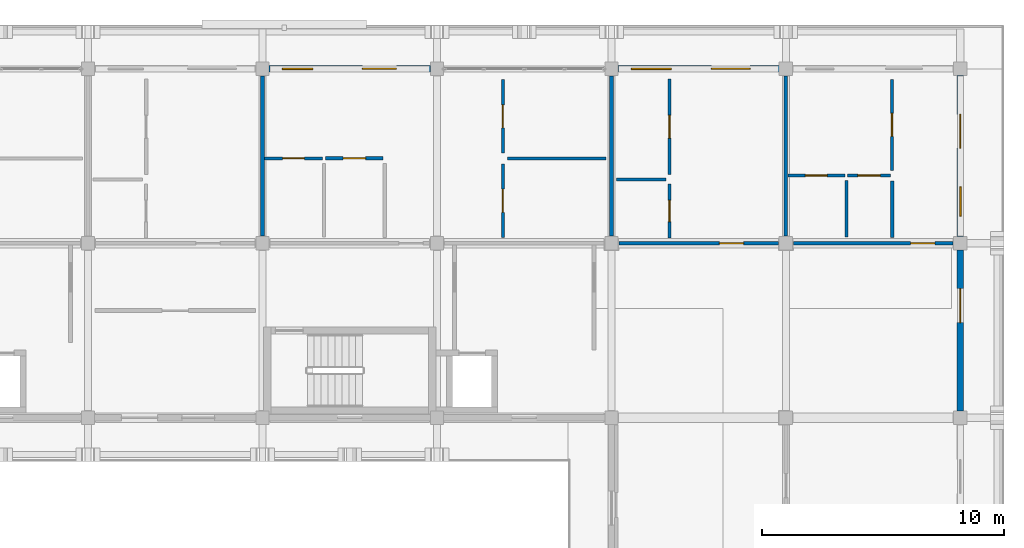
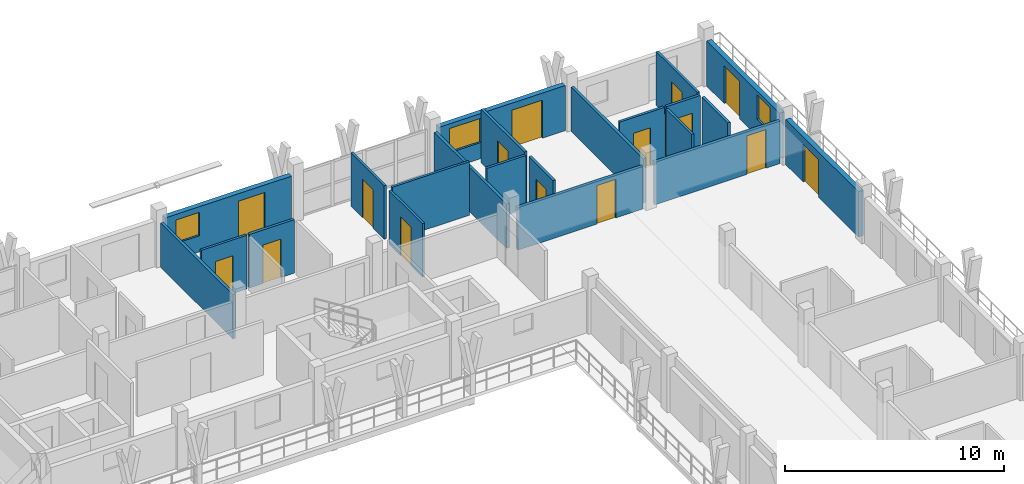
# One storey, part 52 of 73: 22 walls, 15 doors, 3 windows, 18 openings.
"""IFC4 building model written with IfcOpenShell, lengths in metres."""

from ifc_helpers import new_model, si_unit, direction, frame, frame_2d, origin, place, context, subcontext, project, spatial, rectangle, extrude, material, layer, layer_set, type_object, element, fill, save


model = new_model("IFC4")

# Units and contexts
model_context = context("Model", 3, precision=1e-05, world=origin(), true_north=direction((0.0, 1.0)))
body_context = subcontext(model_context, "Body", "Model", "MODEL_VIEW")
ifc_project = project(units=[si_unit("LENGTHUNIT", "METRE"), si_unit("AREAUNIT", "SQUARE_METRE"), si_unit("VOLUMEUNIT", "CUBIC_METRE"), si_unit("PLANEANGLEUNIT", "RADIAN"), si_unit("MASSUNIT", "GRAM", prefix="KILO")], contexts=[model_context])

# Site, building, storey
site_placement = place(None, origin())
site = spatial("IfcSite", under=ifc_project, at=site_placement, CompositionType="ELEMENT")
building_placement = place(site_placement, origin())
building = spatial("IfcBuilding", under=site, at=building_placement, Name="Suanplinth Sawtooth Commons", CompositionType="ELEMENT")
storey_placement = place(building_placement, frame((0.0, 0.0, 21.89990234375)))
storey = spatial("IfcBuildingStorey", under=building, at=storey_placement, Name="L06", CompositionType="ELEMENT", Elevation=21.89990234375)

# Wall, openings, door, window
ifc_material_1 = material(Name="Precast concrete C40/50", Category="concrete")
ifc_layer_1 = layer(ifc_material_1, 0.260009765625, Name="Insulated precast courtyard facade wall 260mm")
ifc_layer_set_1 = layer_set([ifc_layer_1], Name="Precast concrete C40/50")
wall_type_1 = type_object("IfcWallType", Name="W-EX02", PredefinedType="ELEMENTEDWALL", material=ifc_layer_set_1)
wall_1_placement = place(storey_placement, frame((158.675048828125, 122.39990234375, 0.0), z_axis=(0.0, 0.0, 1.0), x_axis=(1.0, 0.0, 0.0)))
wall_1 = element("IfcWall", 1, at=wall_1_placement, inside=storey, type_object=wall_type_1, Name="Facade Wall W-L06-B-N-22-16", PredefinedType="ELEMENTEDWALL", context=body_context, shape_type="SweptSolid", body=[
    extrude(rectangle(XDim=6.64990234375, YDim=0.260009765625, at=frame_2d((3.324951171875, 0.0))), origin(), (0.0, 0.0, 1.0), 2.51513671875),
])
opening_1_placement = place(wall_1_placement, frame((3.85009765625, 0.0, 0.0)))
opening_1 = element("IfcOpeningElement", 2, at=opening_1_placement, cuts=wall_1, Name="Opening ED0505", PredefinedType="OPENING", context=body_context, shape_type="SweptSolid", body=[
    extrude(rectangle(XDim=1.39990234375, YDim=2.10009765625, at=frame_2d((0.699951171875, 1.050048828125))), frame((0.0, 0.14501953125, 0.0), z_axis=(0.0, -1.0, 0.0), x_axis=(1.0, 0.0, 0.0)), (0.0, 0.0, 1.0), 0.289794921875),
])
opening_2_placement = place(wall_1_placement, frame((0.550048828125, 0.0, 0.89990234375)))
opening_2 = element("IfcOpeningElement", 3, at=opening_2_placement, cuts=wall_1, Name="Opening W0593", PredefinedType="OPENING", context=body_context, shape_type="SweptSolid", body=[
    extrude(rectangle(XDim=1.25, YDim=1.300048828125, at=frame_2d((0.625, 0.64990234375))), frame((0.0, 0.14501953125, 0.0), z_axis=(0.0, -1.0, 0.0), x_axis=(1.0, 0.0, 0.0)), (0.0, 0.0, 1.0), 0.289794921875),
])
ifc_material_2 = material(Name="Anodized aluminium and low-E glass", Category="aluminium")
door_type_1 = type_object("IfcDoorType", Name="SD-07", OperationType="SLIDING_TO_RIGHT", PredefinedType="DOOR", material=ifc_material_2)
door_1_placement = place(opening_1_placement, frame((1.39990234375, 0.0, 0.0), z_axis=(0.0, 0.0, 1.0), x_axis=(-1.0, 0.0, 0.0)))
door_1 = element("IfcDoor", 4, at=door_1_placement, inside=storey, type_object=door_type_1, Name="Balcony Sliding Door L06-B-22", OperationType="SLIDING_TO_RIGHT", OverallHeight=2.10009765625, OverallWidth=1.39990234375, PredefinedType="DOOR", context=body_context, shape_type="SweptSolid", body=[
    extrude(rectangle(XDim=1.39990234375, YDim=2.10009765625, at=frame_2d((0.699951171875, 1.050048828125))), frame((0.0, 0.02490234375, 0.0), z_axis=(0.0, -1.0, 0.0), x_axis=(1.0, 0.0, 0.0)), (0.0, 0.0, 1.0), 0.050048828125),
])
fill(opening_1, door_1)
ifc_material_3 = material(Name="Thermally broken aluminium and low-E double glazing", Category="aluminium")
window_type_1 = type_object("IfcWindowType", Name="WN-17", PartitioningType="SINGLE_PANEL", PredefinedType="WINDOW", material=ifc_material_3)
window_1_placement = place(opening_2_placement, origin())
window_1 = element("IfcWindow", 5, at=window_1_placement, inside=storey, type_object=window_type_1, Name="Apartment Window L06-B-22", OverallHeight=1.300048828125, OverallWidth=1.25, PartitioningType="SINGLE_PANEL", PredefinedType="WINDOW", context=body_context, shape_type="SweptSolid", body=[
    extrude(rectangle(XDim=1.25, YDim=1.300048828125, at=frame_2d((0.625, 0.64990234375))), frame((0.0, 0.030029296875, 0.0), z_axis=(0.0, -1.0, 0.0), x_axis=(1.0, 0.0, 0.0)), (0.0, 0.0, 1.0), 0.06005859375),
])
fill(opening_2, window_1)

wall_2_placement = place(storey_placement, frame((173.074951171875, 122.39990234375, 0.0), z_axis=(0.0, 0.0, 1.0), x_axis=(1.0, 0.0, 0.0)))
wall_2 = element("IfcWall", 6, at=wall_2_placement, inside=storey, type_object=wall_type_1, Name="Facade Wall W-L06-B-N-24-16", PredefinedType="ELEMENTEDWALL", context=body_context, shape_type="SweptSolid", body=[
    extrude(rectangle(XDim=6.650146484375, YDim=0.260009765625, at=frame_2d((3.3251953125, 0.0))), origin(), (0.0, 0.0, 1.0), 2.51513671875),
])
opening_3_placement = place(wall_2_placement, frame((3.85009765625, 0.0, 0.0)))
opening_3 = element("IfcOpeningElement", 7, at=opening_3_placement, cuts=wall_2, Name="Opening ED0509", PredefinedType="OPENING", context=body_context, shape_type="SweptSolid", body=[
    extrude(rectangle(XDim=1.60009765625, YDim=2.1201171875, at=frame_2d((0.800048828125, 1.06005859375))), frame((0.0, 0.14501953125, 0.0), z_axis=(0.0, -1.0, 0.0), x_axis=(1.0, 0.0, 0.0)), (0.0, 0.0, 1.0), 0.289794921875),
])
opening_4_placement = place(wall_2_placement, frame((0.550048828125, 0.0, 0.89990234375)))
opening_4 = element("IfcOpeningElement", 8, at=opening_4_placement, cuts=wall_2, Name="Opening W0596", PredefinedType="OPENING", context=body_context, shape_type="SweptSolid", body=[
    extrude(rectangle(XDim=1.64990234375, YDim=1.35009765625, at=frame_2d((0.824951171875, 0.675048828125))), frame((0.0, 0.14501953125, 0.0), z_axis=(0.0, -1.0, 0.0), x_axis=(1.0, 0.0, 0.0)), (0.0, 0.0, 1.0), 0.289794921875),
])
door_type_2 = type_object("IfcDoorType", Name="SD-02", OperationType="SLIDING_TO_RIGHT", PredefinedType="DOOR", material=ifc_material_2)
door_2_placement = place(opening_3_placement, frame((1.60009765625, 0.0, 0.0), z_axis=(0.0, 0.0, 1.0), x_axis=(-1.0, 0.0, 0.0)))
door_2 = element("IfcDoor", 9, at=door_2_placement, inside=storey, type_object=door_type_2, Name="Balcony Sliding Door L06-B-24", OperationType="SLIDING_TO_RIGHT", OverallHeight=2.1201171875, OverallWidth=1.60009765625, PredefinedType="DOOR", context=body_context, shape_type="SweptSolid", body=[
    extrude(rectangle(XDim=1.60009765625, YDim=2.1201171875, at=frame_2d((0.800048828125, 1.06005859375))), frame((0.0, 0.02490234375, 0.0), z_axis=(0.0, -1.0, 0.0), x_axis=(1.0, 0.0, 0.0)), (0.0, 0.0, 1.0), 0.050048828125),
])
fill(opening_3, door_2)
window_type_2 = type_object("IfcWindowType", Name="WN-19", PartitioningType="DOUBLE_PANEL_VERTICAL", PredefinedType="WINDOW", material=ifc_material_3)
window_2_placement = place(opening_4_placement, origin())
window_2 = element("IfcWindow", 10, at=window_2_placement, inside=storey, type_object=window_type_2, Name="Apartment Window L06-B-24", OverallHeight=1.35009765625, OverallWidth=1.64990234375, PartitioningType="DOUBLE_PANEL_VERTICAL", PredefinedType="WINDOW", context=body_context, shape_type="SweptSolid", body=[
    extrude(rectangle(XDim=1.64990234375, YDim=1.35009765625, at=frame_2d((0.824951171875, 0.675048828125))), frame((0.0, 0.030029296875, 0.0), z_axis=(0.0, -1.0, 0.0), x_axis=(1.0, 0.0, 0.0)), (0.0, 0.0, 1.0), 0.06005859375),
])
fill(opening_4, window_2)

# Wall, opening, door
wall_3_placement = place(storey_placement, frame((187.199951171875, 108.27490234375, 0.0), z_axis=(0.0, 0.0, 1.0), x_axis=(0.0, 1.0, 0.0)))
wall_3 = element("IfcWall", 11, at=wall_3_placement, inside=storey, type_object=wall_type_1, Name="Facade Wall W-L06-B-E-25-15", PredefinedType="ELEMENTEDWALL", context=body_context, shape_type="SweptSolid", body=[
    extrude(rectangle(XDim=6.650146484375, YDim=0.260009765625, at=frame_2d((3.3251953125, 0.0))), origin(), (0.0, 0.0, 1.0), 2.51513671875),
])
opening_5_placement = place(wall_3_placement, frame((3.64990234375, 0.0, 0.0)))
opening_5 = element("IfcOpeningElement", 12, at=opening_5_placement, cuts=wall_3, Name="Opening ED0514", PredefinedType="OPENING", context=body_context, shape_type="SweptSolid", body=[
    extrude(rectangle(XDim=1.39990234375, YDim=2.10009765625, at=frame_2d((0.699951171875, 1.050048828125))), frame((0.0, 0.14501953125, 0.0), z_axis=(0.0, -1.0, 0.0), x_axis=(1.0, 0.0, 0.0)), (0.0, 0.0, 1.0), 0.289794921875),
])
door_3_placement = place(opening_5_placement, frame((1.39990234375, 0.0, 0.0), z_axis=(0.0, 0.0, 1.0), x_axis=(-1.0, 0.0, 0.0)))
door_3 = element("IfcDoor", 13, at=door_3_placement, inside=storey, type_object=door_type_1, Name="End Balcony Sliding Door L06-B-E-25-15", OperationType="SLIDING_TO_RIGHT", OverallHeight=2.10009765625, OverallWidth=1.39990234375, PredefinedType="DOOR", context=body_context, shape_type="SweptSolid", body=[
    extrude(rectangle(XDim=1.39990234375, YDim=2.10009765625, at=frame_2d((0.699951171875, 1.050048828125))), frame((0.0, 0.02490234375, 0.0), z_axis=(0.0, -1.0, 0.0), x_axis=(1.0, 0.0, 0.0)), (0.0, 0.0, 1.0), 0.050048828125),
])
fill(opening_5, door_3)

# Wall, openings, door, window
wall_4_placement = place(storey_placement, frame((187.199951171875, 115.47509765625, 0.0), z_axis=(0.0, 0.0, 1.0), x_axis=(0.0, 1.0, 0.0)))
wall_4 = element("IfcWall", 14, at=wall_4_placement, inside=storey, type_object=wall_type_1, Name="Facade Wall W-L06-B-E-25-16", PredefinedType="ELEMENTEDWALL", context=body_context, shape_type="SweptSolid", body=[
    extrude(rectangle(XDim=6.64990234375, YDim=0.260009765625, at=frame_2d((3.324951171875, 0.0))), origin(), (0.0, 0.0, 1.0), 2.51513671875),
])
opening_6_placement = place(wall_4_placement, frame((3.64990234375, 0.0, 0.0)))
opening_6 = element("IfcOpeningElement", 15, at=opening_6_placement, cuts=wall_4, Name="Opening ED0516", PredefinedType="OPENING", context=body_context, shape_type="SweptSolid", body=[
    extrude(rectangle(XDim=1.39990234375, YDim=2.10009765625, at=frame_2d((0.699951171875, 1.050048828125))), frame((0.0, 0.14501953125, 0.0), z_axis=(0.0, -1.0, 0.0), x_axis=(1.0, 0.0, 0.0)), (0.0, 0.0, 1.0), 0.289794921875),
])
opening_7_placement = place(wall_4_placement, frame((0.85009765625, 0.0, 0.949951171875)))
opening_7 = element("IfcOpeningElement", 16, at=opening_7_placement, cuts=wall_4, Name="Opening W0601", PredefinedType="OPENING", context=body_context, shape_type="SweptSolid", body=[
    extrude(rectangle(XDim=1.199951171875, YDim=1.35009765625, at=frame_2d((0.60009765625, 0.675048828125))), frame((0.0, 0.14501953125, 0.0), z_axis=(0.0, -1.0, 0.0), x_axis=(1.0, 0.0, 0.0)), (0.0, 0.0, 1.0), 0.289794921875),
])
door_4_placement = place(opening_6_placement, frame((1.39990234375, 0.0, 0.0), z_axis=(0.0, 0.0, 1.0), x_axis=(-1.0, 0.0, 0.0)))
door_4 = element("IfcDoor", 17, at=door_4_placement, inside=storey, type_object=door_type_1, Name="End Balcony Sliding Door L06-B-E-25-16", OperationType="SLIDING_TO_RIGHT", OverallHeight=2.10009765625, OverallWidth=1.39990234375, PredefinedType="DOOR", context=body_context, shape_type="SweptSolid", body=[
    extrude(rectangle(XDim=1.39990234375, YDim=2.10009765625, at=frame_2d((0.699951171875, 1.050048828125))), frame((0.0, 0.02490234375, 0.0), z_axis=(0.0, -1.0, 0.0), x_axis=(1.0, 0.0, 0.0)), (0.0, 0.0, 1.0), 0.050048828125),
])
fill(opening_6, door_4)
window_type_3 = type_object("IfcWindowType", Name="WN-03", PartitioningType="SINGLE_PANEL", PredefinedType="WINDOW", material=ifc_material_3)
window_3_placement = place(opening_7_placement, origin())
window_3 = element("IfcWindow", 18, at=window_3_placement, inside=storey, type_object=window_type_3, Name="End Bedroom Window L06-B-25-16", OverallHeight=1.35009765625, OverallWidth=1.199951171875, PartitioningType="SINGLE_PANEL", PredefinedType="WINDOW", context=body_context, shape_type="SweptSolid", body=[
    extrude(rectangle(XDim=1.199951171875, YDim=1.35009765625, at=frame_2d((0.60009765625, 0.675048828125))), frame((0.0, 0.030029296875, 0.0), z_axis=(0.0, -1.0, 0.0), x_axis=(1.0, 0.0, 0.0)), (0.0, 0.0, 1.0), 0.06005859375),
])
fill(opening_7, window_3)

# Wall, opening, door
ifc_layer_2 = layer(ifc_material_1, 0.159912109375, Name="Fire-rated corridor and lobby wall 160mm")
ifc_layer_set_2 = layer_set([ifc_layer_2], Name="Precast concrete C40/50")
wall_type_2 = type_object("IfcWallType", Name="W-FW01", PredefinedType="PARTITIONING", material=ifc_layer_set_2)
wall_5_placement = place(storey_placement, frame((173.10498046875, 115.199951171875, 0.0), z_axis=(0.0, 0.0, 1.0), x_axis=(1.0, 0.0, 0.0)))
wall_5 = element("IfcWall", 19, at=wall_5_placement, inside=storey, type_object=wall_type_2, Name="W-B-L06-U05-COR", PredefinedType="PARTITIONING", context=body_context, shape_type="SweptSolid", body=[
    extrude(rectangle(XDim=6.590087890625, YDim=0.159912109375, at=frame_2d((3.294921875, 0.0))), origin(), (0.0, 0.0, 1.0), 2.364990234375),
])
opening_8_placement = place(wall_5_placement, frame((4.14501953125, 0.0, 0.0)))
opening_8 = element("IfcOpeningElement", 20, at=opening_8_placement, cuts=wall_5, Name="Opening FD1420", PredefinedType="OPENING", context=body_context, shape_type="SweptSolid", body=[
    extrude(rectangle(XDim=1.0, YDim=2.14990234375, at=frame_2d((0.5, 1.074951171875))), frame((0.0, 0.0947265625, 0.0), z_axis=(0.0, -1.0, 0.0), x_axis=(1.0, 0.0, 0.0)), (0.0, 0.0, 1.0), 0.189697265625),
])
ifc_material_4 = material(Name="Teak hardwood fire-rated door assembly", Category="wood")
door_type_3 = type_object("IfcDoorType", Name="FD-03", OperationType="NOTDEFINED", PredefinedType="DOOR", material=ifc_material_4)
door_5_placement = place(opening_8_placement, origin())
door_5 = element("IfcDoor", 21, at=door_5_placement, inside=storey, type_object=door_type_3, Name="Unit Entrance Door FD1420", OperationType="SINGLE_SWING_RIGHT", OverallHeight=2.14990234375, OverallWidth=1.0, PredefinedType="DOOR", context=body_context, shape_type="SweptSolid", body=[
    extrude(rectangle(XDim=1.0, YDim=2.14990234375, at=frame_2d((0.5, 1.074951171875))), frame((0.0, 0.02490234375, 0.0), z_axis=(0.0, -1.0, 0.0), x_axis=(1.0, 0.0, 0.0)), (0.0, 0.0, 1.0), 0.050048828125),
])
fill(opening_8, door_5)

wall_6_placement = place(storey_placement, frame((180.304931640625, 115.199951171875, 0.0), z_axis=(0.0, 0.0, 1.0), x_axis=(1.0, 0.0, 0.0)))
wall_6 = element("IfcWall", 22, at=wall_6_placement, inside=storey, type_object=wall_type_2, Name="W-B-L06-U06-COR", PredefinedType="PARTITIONING", context=body_context, shape_type="SweptSolid", body=[
    extrude(rectangle(XDim=6.590087890625, YDim=0.159912109375, at=frame_2d((3.294921875, 0.0))), origin(), (0.0, 0.0, 1.0), 2.364990234375),
])
opening_9_placement = place(wall_6_placement, frame((4.844970703125, 0.0, 0.0)))
opening_9 = element("IfcOpeningElement", 23, at=opening_9_placement, cuts=wall_6, Name="Opening FD1423", PredefinedType="OPENING", context=body_context, shape_type="SweptSolid", body=[
    extrude(rectangle(XDim=1.0, YDim=2.14990234375, at=frame_2d((0.5, 1.074951171875))), frame((0.0, 0.0947265625, 0.0), z_axis=(0.0, -1.0, 0.0), x_axis=(1.0, 0.0, 0.0)), (0.0, 0.0, 1.0), 0.189697265625),
])
door_6_placement = place(opening_9_placement, origin())
door_6 = element("IfcDoor", 24, at=door_6_placement, inside=storey, type_object=door_type_3, Name="Unit Entrance Door FD1423", OperationType="SINGLE_SWING_LEFT", OverallHeight=2.14990234375, OverallWidth=1.0, PredefinedType="DOOR", context=body_context, shape_type="SweptSolid", body=[
    extrude(rectangle(XDim=1.0, YDim=2.14990234375, at=frame_2d((0.5, 1.074951171875))), frame((0.0, 0.02490234375, 0.0), z_axis=(0.0, -1.0, 0.0), x_axis=(1.0, 0.0, 0.0)), (0.0, 0.0, 1.0), 0.050048828125),
])
fill(opening_9, door_6)

# Walls
ifc_layer_3 = layer(ifc_material_1, 0.14990234375, Name="Acoustic precast party demising wall 150mm")
ifc_layer_set_3 = layer_set([ifc_layer_3], Name="Precast concrete C40/50")
wall_type_3 = type_object("IfcWallType", Name="W-FW02", PredefinedType="PARTITIONING", material=ifc_layer_set_3)
for number, where, z_axis, x_axis, name in (
    (25, (158.39990234375, 115.5048828125, 0.0), (0.0, 0.0, 1.0), (0.0, 1.0, 0.0), "W-B-L06-U03-PTY"),
    (26, (172.800048828125, 115.5048828125, 0.0), (0.0, 0.0, 1.0), (0.0, 1.0, 0.0), "W-B-L06-U04-PTY"),
    (27, (180.0, 115.5048828125, 0.0), (0.0, 0.0, 1.0), (0.0, 1.0, 0.0), "W-B-L06-U05-PTY"),
):
    element("IfcWall", number, at=place(storey_placement, frame(where, z_axis=z_axis, x_axis=x_axis)), inside=storey, type_object=wall_type_3, Name=name, PredefinedType="PARTITIONING", context=body_context, shape_type="SweptSolid", body=[
        extrude(rectangle(XDim=6.590087890625, YDim=0.14990234375, at=frame_2d((3.294921875, 0.0))), origin(), (0.0, 0.0, 1.0), 2.465087890625),
    ])

# Wall, opening, door
ifc_material_5 = material(Name="Gypsum plasterboard on steel stud", Category="steel")
ifc_layer_4 = layer(ifc_material_5, 0.139892578125, Name="Fire-rated kitchen partition 140mm")
ifc_layer_set_4 = layer_set([ifc_layer_4], Name="Gypsum plasterboard on steel stud")
wall_type_4 = type_object("IfcWallType", Name="W-PT01", PredefinedType="PARTITIONING", material=ifc_layer_set_4)
wall_7_placement = place(storey_placement, frame((161.0, 118.7099609375, 0.0), z_axis=(0.0, 0.0, 1.0), x_axis=(1.0, 0.0, 0.0)))
wall_7 = element("IfcWall", 28, at=wall_7_placement, inside=storey, type_object=wall_type_4, Name="W-B-L06-U04-KIT1", PredefinedType="PARTITIONING", context=body_context, shape_type="SweptSolid", body=[
    extrude(rectangle(XDim=2.3798828125, YDim=0.139892578125, at=frame_2d((1.18994140625, 0.0))), origin(), (0.0, 0.0, 1.0), 2.97998046875),
])
opening_10_placement = place(wall_7_placement, frame((0.72509765625, 0.0, 0.0)))
opening_10 = element("IfcOpeningElement", 29, at=opening_10_placement, cuts=wall_7, Name="Opening D1417", PredefinedType="OPENING", context=body_context, shape_type="SweptSolid", body=[
    extrude(rectangle(XDim=0.929931640625, YDim=2.139892578125, at=frame_2d((0.46484375, 1.06982421875))), frame((0.0, 0.0849609375, 0.0), z_axis=(0.0, -1.0, 0.0), x_axis=(1.0, 0.0, 0.0)), (0.0, 0.0, 1.0), 0.169677734375),
])
ifc_material_6 = material(Name="Teak hardwood", Category="wood")
door_type_4 = type_object("IfcDoorType", Name="D-19", OperationType="NOTDEFINED", PredefinedType="DOOR", material=ifc_material_6)
door_7_placement = place(opening_10_placement, frame((0.929931640625, 0.0, 0.0), z_axis=(0.0, 0.0, 1.0), x_axis=(-1.0, 0.0, 0.0)))
door_7 = element("IfcDoor", 30, at=door_7_placement, inside=storey, type_object=door_type_4, Name="Kitchen Door D1417", OperationType="SINGLE_SWING_LEFT", OverallHeight=2.139892578125, OverallWidth=0.929931640625, PredefinedType="DOOR", context=body_context, shape_type="SweptSolid", body=[
    extrude(rectangle(XDim=0.929931640625, YDim=2.139892578125, at=frame_2d((0.46484375, 1.06982421875))), frame((0.0, 0.02490234375, 0.0), z_axis=(0.0, -1.0, 0.0), x_axis=(1.0, 0.0, 0.0)), (0.0, 0.0, 1.0), 0.050048828125),
])
fill(opening_10, door_7)

wall_8_placement = place(storey_placement, frame((175.195068359375, 118.0400390625, 0.0), z_axis=(0.0, 0.0, 1.0), x_axis=(0.0, 1.0, 0.0)))
wall_8 = element("IfcWall", 31, at=wall_8_placement, inside=storey, type_object=wall_type_4, Name="W-B-L06-U05-KITE", PredefinedType="PARTITIONING", context=body_context, shape_type="SweptSolid", body=[
    extrude(rectangle(XDim=3.93994140625, YDim=0.139892578125, at=frame_2d((1.969970703125, 0.0))), origin(), (0.0, 0.0, 1.0), 2.97998046875),
])
opening_11_placement = place(wall_8_placement, frame((1.5048828125, 0.0, 0.0)))
opening_11 = element("IfcOpeningElement", 32, at=opening_11_placement, cuts=wall_8, Name="Opening D1422", PredefinedType="OPENING", context=body_context, shape_type="SweptSolid", body=[
    extrude(rectangle(XDim=0.929931640625, YDim=2.139892578125, at=frame_2d((0.46484375, 1.06982421875))), frame((0.0, 0.0849609375, 0.0), z_axis=(0.0, -1.0, 0.0), x_axis=(1.0, 0.0, 0.0)), (0.0, 0.0, 1.0), 0.169677734375),
])
door_8_placement = place(opening_11_placement, origin())
door_8 = element("IfcDoor", 33, at=door_8_placement, inside=storey, type_object=door_type_4, Name="Kitchen Door D1422", OperationType="SINGLE_SWING_RIGHT", OverallHeight=2.139892578125, OverallWidth=0.929931640625, PredefinedType="DOOR", context=body_context, shape_type="SweptSolid", body=[
    extrude(rectangle(XDim=0.929931640625, YDim=2.139892578125, at=frame_2d((0.46484375, 1.06982421875))), frame((0.0, 0.02490234375, 0.0), z_axis=(0.0, -1.0, 0.0), x_axis=(1.0, 0.0, 0.0)), (0.0, 0.0, 1.0), 0.050048828125),
])
fill(opening_11, door_8)

wall_9_placement = place(storey_placement, frame((182.550048828125, 118.0, 0.0), z_axis=(0.0, 0.0, 1.0), x_axis=(1.0, 0.0, 0.0)))
wall_9 = element("IfcWall", 34, at=wall_9_placement, inside=storey, type_object=wall_type_4, Name="W-B-L06-U06-KIT1", PredefinedType="PARTITIONING", context=body_context, shape_type="SweptSolid", body=[
    extrude(rectangle(XDim=1.77001953125, YDim=0.139892578125, at=frame_2d((0.885009765625, 0.0))), origin(), (0.0, 0.0, 1.0), 2.97998046875),
])
opening_12_placement = place(wall_9_placement, frame((0.419921875, 0.0, 0.0)))
opening_12 = element("IfcOpeningElement", 35, at=opening_12_placement, cuts=wall_9, Name="Opening D1425", PredefinedType="OPENING", context=body_context, shape_type="SweptSolid", body=[
    extrude(rectangle(XDim=0.929931640625, YDim=2.139892578125, at=frame_2d((0.46484375, 1.06982421875))), frame((0.0, 0.0849609375, 0.0), z_axis=(0.0, -1.0, 0.0), x_axis=(1.0, 0.0, 0.0)), (0.0, 0.0, 1.0), 0.169677734375),
])
door_9_placement = place(opening_12_placement, frame((0.929931640625, 0.0, 0.0), z_axis=(0.0, 0.0, 1.0), x_axis=(-1.0, 0.0, 0.0)))
door_9 = element("IfcDoor", 36, at=door_9_placement, inside=storey, type_object=door_type_4, Name="Kitchen Door D1425", OperationType="SINGLE_SWING_LEFT", OverallHeight=2.139892578125, OverallWidth=0.929931640625, PredefinedType="DOOR", context=body_context, shape_type="SweptSolid", body=[
    extrude(rectangle(XDim=0.929931640625, YDim=2.139892578125, at=frame_2d((0.46484375, 1.06982421875))), frame((0.0, 0.02490234375, 0.0), z_axis=(0.0, -1.0, 0.0), x_axis=(1.0, 0.0, 0.0)), (0.0, 0.0, 1.0), 0.050048828125),
])
fill(opening_12, door_9)

# Wall
wall_10_placement = place(storey_placement, frame((184.389892578125, 115.429931640625, 0.0), z_axis=(0.0, 0.0, 1.0), x_axis=(0.0, 1.0, 0.0)))
element("IfcWall", 37, at=wall_10_placement, inside=storey, type_object=wall_type_4, Name="W-B-L06-U06-KIT2", PredefinedType="PARTITIONING", context=body_context, shape_type="SweptSolid", body=[
    extrude(rectangle(XDim=2.35009765625, YDim=0.139892578125, at=frame_2d((1.175048828125, 0.0))), origin(), (0.0, 0.0, 1.0), 2.97998046875),
])

# Wall, opening, door
ifc_layer_5 = layer(ifc_material_5, 0.1298828125, Name="Moisture-resistant bathroom partition 130mm")
ifc_layer_set_5 = layer_set([ifc_layer_5], Name="Gypsum plasterboard on steel stud")
wall_type_5 = type_object("IfcWallType", Name="W-PT02", PredefinedType="PARTITIONING", material=ifc_layer_set_5)
wall_11_placement = place(storey_placement, frame((158.47998046875, 118.705078125, 0.0), z_axis=(0.0, 0.0, 1.0), x_axis=(1.0, 0.0, 0.0)))
wall_11 = element("IfcWall", 38, at=wall_11_placement, inside=storey, type_object=wall_type_5, Name="W-B-L06-U04-BTH1", PredefinedType="PARTITIONING", context=body_context, shape_type="SweptSolid", body=[
    extrude(rectangle(XDim=2.39990234375, YDim=0.1298828125, at=frame_2d((1.199951171875, 0.0))), origin(), (0.0, 0.0, 1.0), 2.97998046875),
])
opening_13_placement = place(wall_11_placement, frame((0.75, 0.0, 0.0)))
opening_13 = element("IfcOpeningElement", 39, at=opening_13_placement, cuts=wall_11, Name="Opening D1416", PredefinedType="OPENING", context=body_context, shape_type="SweptSolid", body=[
    extrude(rectangle(XDim=0.89990234375, YDim=2.10009765625, at=frame_2d((0.449951171875, 1.050048828125))), frame((0.0, 0.079833984375, 0.0), z_axis=(0.0, -1.0, 0.0), x_axis=(1.0, 0.0, 0.0)), (0.0, 0.0, 1.0), 0.15966796875),
])
door_type_5 = type_object("IfcDoorType", Name="D-01", OperationType="NOTDEFINED", PredefinedType="DOOR", material=ifc_material_6)
door_10_placement = place(opening_13_placement, frame((0.89990234375, 0.0, 0.0), z_axis=(0.0, 0.0, 1.0), x_axis=(-1.0, 0.0, 0.0)))
door_10 = element("IfcDoor", 40, at=door_10_placement, inside=storey, type_object=door_type_5, Name="Bathroom Door D1416", OperationType="SINGLE_SWING_RIGHT", OverallHeight=2.10009765625, OverallWidth=0.89990234375, PredefinedType="DOOR", context=body_context, shape_type="SweptSolid", body=[
    extrude(rectangle(XDim=0.89990234375, YDim=2.10009765625, at=frame_2d((0.449951171875, 1.050048828125))), frame((0.0, 0.02490234375, 0.0), z_axis=(0.0, -1.0, 0.0), x_axis=(1.0, 0.0, 0.0)), (0.0, 0.0, 1.0), 0.050048828125),
])
fill(opening_13, door_10)

# Wall
wall_12_placement = place(storey_placement, frame((173.0, 117.840087890625, 0.0), z_axis=(0.0, 0.0, 1.0), x_axis=(1.0, 0.0, 0.0)))
element("IfcWall", 41, at=wall_12_placement, inside=storey, type_object=wall_type_5, Name="W-B-L06-U05-STDIV", PredefinedType="PARTITIONING", context=body_context, shape_type="SweptSolid", body=[
    extrude(rectangle(XDim=2.050048828125, YDim=0.1298828125, at=frame_2d((1.02490234375, 0.0))), origin(), (0.0, 0.0, 1.0), 2.97998046875),
])

# Wall, opening, door
wall_13_placement = place(storey_placement, frame((175.195068359375, 115.419921875, 0.0), z_axis=(0.0, 0.0, 1.0), x_axis=(0.0, 1.0, 0.0)))
wall_13 = element("IfcWall", 42, at=wall_13_placement, inside=storey, type_object=wall_type_5, Name="W-B-L06-U05-BTHE", PredefinedType="PARTITIONING", context=body_context, shape_type="SweptSolid", body=[
    extrude(rectangle(XDim=2.219970703125, YDim=0.1298828125, at=frame_2d((1.10986328125, 0.0))), origin(), (0.0, 0.0, 1.0), 2.97998046875),
])
opening_14_placement = place(wall_13_placement, frame((0.669921875, 0.0, 0.0)))
opening_14 = element("IfcOpeningElement", 43, at=opening_14_placement, cuts=wall_13, Name="Opening D1421", PredefinedType="OPENING", context=body_context, shape_type="SweptSolid", body=[
    extrude(rectangle(XDim=0.8798828125, YDim=2.10009765625, at=frame_2d((0.43994140625, 1.050048828125))), frame((0.0, 0.079833984375, 0.0), z_axis=(0.0, -1.0, 0.0), x_axis=(1.0, 0.0, 0.0)), (0.0, 0.0, 1.0), 0.15966796875),
])
door_type_6 = type_object("IfcDoorType", Name="D-14", OperationType="NOTDEFINED", PredefinedType="DOOR", material=ifc_material_6)
door_11_placement = place(opening_14_placement, origin())
door_11 = element("IfcDoor", 44, at=door_11_placement, inside=storey, type_object=door_type_6, Name="Bathroom Door D1421", OperationType="SINGLE_SWING_LEFT", OverallHeight=2.10009765625, OverallWidth=0.8798828125, PredefinedType="DOOR", context=body_context, shape_type="SweptSolid", body=[
    extrude(rectangle(XDim=0.8798828125, YDim=2.10009765625, at=frame_2d((0.43994140625, 1.050048828125))), frame((0.0, 0.02490234375, 0.0), z_axis=(0.0, -1.0, 0.0), x_axis=(1.0, 0.0, 0.0)), (0.0, 0.0, 1.0), 0.050048828125),
])
fill(opening_14, door_11)

wall_14_placement = place(storey_placement, frame((180.080078125, 117.9951171875, 0.0), z_axis=(0.0, 0.0, 1.0), x_axis=(1.0, 0.0, 0.0)))
wall_14 = element("IfcWall", 45, at=wall_14_placement, inside=storey, type_object=wall_type_5, Name="W-B-L06-U06-BTH1", PredefinedType="PARTITIONING", context=body_context, shape_type="SweptSolid", body=[
    extrude(rectangle(XDim=2.349853515625, YDim=0.1298828125, at=frame_2d((1.1748046875, 0.0))), origin(), (0.0, 0.0, 1.0), 2.97998046875),
])
opening_15_placement = place(wall_14_placement, frame((0.72509765625, 0.0, 0.0)))
opening_15 = element("IfcOpeningElement", 46, at=opening_15_placement, cuts=wall_14, Name="Opening D1424", PredefinedType="OPENING", context=body_context, shape_type="SweptSolid", body=[
    extrude(rectangle(XDim=0.89990234375, YDim=2.10009765625, at=frame_2d((0.449951171875, 1.050048828125))), frame((0.0, 0.079833984375, 0.0), z_axis=(0.0, -1.0, 0.0), x_axis=(1.0, 0.0, 0.0)), (0.0, 0.0, 1.0), 0.15966796875),
])
door_12_placement = place(opening_15_placement, frame((0.89990234375, 0.0, 0.0), z_axis=(0.0, 0.0, 1.0), x_axis=(-1.0, 0.0, 0.0)))
door_12 = element("IfcDoor", 47, at=door_12_placement, inside=storey, type_object=door_type_5, Name="Bathroom Door D1424", OperationType="SINGLE_SWING_RIGHT", OverallHeight=2.10009765625, OverallWidth=0.89990234375, PredefinedType="DOOR", context=body_context, shape_type="SweptSolid", body=[
    extrude(rectangle(XDim=0.89990234375, YDim=2.10009765625, at=frame_2d((0.449951171875, 1.050048828125))), frame((0.0, 0.02490234375, 0.0), z_axis=(0.0, -1.0, 0.0), x_axis=(1.0, 0.0, 0.0)), (0.0, 0.0, 1.0), 0.050048828125),
])
fill(opening_15, door_12)

# Wall
wall_15_placement = place(storey_placement, frame((182.4951171875, 115.4599609375, 0.0), z_axis=(0.0, 0.0, 1.0), x_axis=(0.0, 1.0, 0.0)))
element("IfcWall", 48, at=wall_15_placement, inside=storey, type_object=wall_type_5, Name="W-B-L06-U06-BTH2", PredefinedType="PARTITIONING", context=body_context, shape_type="SweptSolid", body=[
    extrude(rectangle(XDim=2.330078125, YDim=0.1298828125, at=frame_2d((1.1650390625, 0.0))), origin(), (0.0, 0.0, 1.0), 2.97998046875),
])

# Wall, opening, door
ifc_layer_6 = layer(ifc_material_5, 0.1201171875, Name="Acoustic bedroom partition 120mm")
ifc_layer_set_6 = layer_set([ifc_layer_6], Name="Gypsum plasterboard on steel stud")
wall_type_6 = type_object("IfcWallType", Name="W-PT03", PredefinedType="PARTITIONING", material=ifc_layer_set_6)
wall_16_placement = place(storey_placement, frame((168.320068359375, 118.919921875, 0.0), z_axis=(0.0, 0.0, 1.0), x_axis=(0.0, 1.0, 0.0)))
wall_16 = element("IfcWall", 49, at=wall_16_placement, inside=storey, type_object=wall_type_6, Name="W-B-L06-U04-BED1", PredefinedType="PARTITIONING", context=body_context, shape_type="SweptSolid", body=[
    extrude(rectangle(XDim=3.0400390625, YDim=0.1201171875, at=frame_2d((1.52001953125, 0.0))), origin(), (0.0, 0.0, 1.0), 2.97998046875),
])
opening_16_placement = place(wall_16_placement, frame((1.044921875, 0.0, 0.0)))
opening_16 = element("IfcOpeningElement", 50, at=opening_16_placement, cuts=wall_16, Name="Opening D1418", PredefinedType="OPENING", context=body_context, shape_type="SweptSolid", body=[
    extrude(rectangle(XDim=0.949951171875, YDim=2.14990234375, at=frame_2d((0.47509765625, 1.074951171875))), frame((0.0, 0.074951171875, 0.0), z_axis=(0.0, -1.0, 0.0), x_axis=(1.0, 0.0, 0.0)), (0.0, 0.0, 1.0), 0.14990234375),
])
door_type_7 = type_object("IfcDoorType", Name="D-03", OperationType="NOTDEFINED", PredefinedType="DOOR", material=ifc_material_6)
door_13_placement = place(opening_16_placement, frame((0.949951171875, 0.0, 0.0), z_axis=(0.0, 0.0, 1.0), x_axis=(-1.0, 0.0, 0.0)))
door_13 = element("IfcDoor", 51, at=door_13_placement, inside=storey, type_object=door_type_7, Name="Bedroom Door D1418", OperationType="SINGLE_SWING_RIGHT", OverallHeight=2.14990234375, OverallWidth=0.949951171875, PredefinedType="DOOR", context=body_context, shape_type="SweptSolid", body=[
    extrude(rectangle(XDim=0.949951171875, YDim=2.14990234375, at=frame_2d((0.47509765625, 1.074951171875))), frame((0.0, 0.02490234375, 0.0), z_axis=(0.0, -1.0, 0.0), x_axis=(1.0, 0.0, 0.0)), (0.0, 0.0, 1.0), 0.050048828125),
])
fill(opening_16, door_13)

wall_17_placement = place(storey_placement, frame((168.320068359375, 115.43994140625, 0.0), z_axis=(0.0, 0.0, 1.0), x_axis=(0.0, 1.0, 0.0)))
wall_17 = element("IfcWall", 52, at=wall_17_placement, inside=storey, type_object=wall_type_6, Name="W-B-L06-U04-BED2", PredefinedType="PARTITIONING", context=body_context, shape_type="SweptSolid", body=[
    extrude(rectangle(XDim=3.0400390625, YDim=0.1201171875, at=frame_2d((1.52001953125, 0.0))), origin(), (0.0, 0.0, 1.0), 2.97998046875),
])
opening_17_placement = place(wall_17_placement, frame((1.0400390625, 0.0, 0.0)))
opening_17 = element("IfcOpeningElement", 53, at=opening_17_placement, cuts=wall_17, Name="Opening D1419", PredefinedType="OPENING", context=body_context, shape_type="SweptSolid", body=[
    extrude(rectangle(XDim=0.9599609375, YDim=2.14990234375, at=frame_2d((0.47998046875, 1.074951171875))), frame((0.0, 0.074951171875, 0.0), z_axis=(0.0, -1.0, 0.0), x_axis=(1.0, 0.0, 0.0)), (0.0, 0.0, 1.0), 0.14990234375),
])
door_type_8 = type_object("IfcDoorType", Name="D-13", OperationType="NOTDEFINED", PredefinedType="DOOR", material=ifc_material_6)
door_14_placement = place(opening_17_placement, frame((0.9599609375, 0.0, 0.0), z_axis=(0.0, 0.0, 1.0), x_axis=(-1.0, 0.0, 0.0)))
door_14 = element("IfcDoor", 54, at=door_14_placement, inside=storey, type_object=door_type_8, Name="Second Bedroom Door D1419", OperationType="SINGLE_SWING_LEFT", OverallHeight=2.14990234375, OverallWidth=0.9599609375, PredefinedType="DOOR", context=body_context, shape_type="SweptSolid", body=[
    extrude(rectangle(XDim=0.9599609375, YDim=2.14990234375, at=frame_2d((0.47998046875, 1.074951171875))), frame((0.0, 0.02490234375, 0.0), z_axis=(0.0, -1.0, 0.0), x_axis=(1.0, 0.0, 0.0)), (0.0, 0.0, 1.0), 0.050048828125),
])
fill(opening_17, door_14)

wall_18_placement = place(storey_placement, frame((184.3798828125, 118.2099609375, 0.0), z_axis=(0.0, 0.0, 1.0), x_axis=(0.0, 1.0, 0.0)))
wall_18 = element("IfcWall", 55, at=wall_18_placement, inside=storey, type_object=wall_type_6, Name="W-B-L06-U06-BED1", PredefinedType="PARTITIONING", context=body_context, shape_type="SweptSolid", body=[
    extrude(rectangle(XDim=3.75, YDim=0.1201171875, at=frame_2d((1.875, 0.0))), origin(), (0.0, 0.0, 1.0), 2.97998046875),
])
opening_18_placement = place(wall_18_placement, frame((1.39990234375, 0.0, 0.0)))
opening_18 = element("IfcOpeningElement", 56, at=opening_18_placement, cuts=wall_18, Name="Opening D1426", PredefinedType="OPENING", context=body_context, shape_type="SweptSolid", body=[
    extrude(rectangle(XDim=0.949951171875, YDim=2.14990234375, at=frame_2d((0.47509765625, 1.074951171875))), frame((0.0, 0.074951171875, 0.0), z_axis=(0.0, -1.0, 0.0), x_axis=(1.0, 0.0, 0.0)), (0.0, 0.0, 1.0), 0.14990234375),
])
door_15_placement = place(opening_18_placement, origin())
door_15 = element("IfcDoor", 57, at=door_15_placement, inside=storey, type_object=door_type_7, Name="Bedroom Door D1426", OperationType="SINGLE_SWING_RIGHT", OverallHeight=2.14990234375, OverallWidth=0.949951171875, PredefinedType="DOOR", context=body_context, shape_type="SweptSolid", body=[
    extrude(rectangle(XDim=0.949951171875, YDim=2.14990234375, at=frame_2d((0.47509765625, 1.074951171875))), frame((0.0, 0.02490234375, 0.0), z_axis=(0.0, -1.0, 0.0), x_axis=(1.0, 0.0, 0.0)), (0.0, 0.0, 1.0), 0.050048828125),
])
fill(opening_18, door_15)

# Wall
ifc_layer_7 = layer(ifc_material_5, 0.125, Name="Acoustic study partition 125mm")
ifc_layer_set_7 = layer_set([ifc_layer_7], Name="Gypsum plasterboard on steel stud")
wall_type_7 = type_object("IfcWallType", Name="W-PT06", PredefinedType="PARTITIONING", material=ifc_layer_set_7)
wall_19_placement = place(storey_placement, frame((168.52001953125, 118.699951171875, 0.0), z_axis=(0.0, 0.0, 1.0), x_axis=(1.0, 0.0, 0.0)))
element("IfcWall", 58, at=wall_19_placement, inside=storey, type_object=wall_type_7, Name="W-B-L06-U04-BEDDIV", PredefinedType="PARTITIONING", context=body_context, shape_type="SweptSolid", body=[
    extrude(rectangle(XDim=4.06005859375, YDim=0.125, at=frame_2d((2.030029296875, 0.0))), origin(), (0.0, 0.0, 1.0), 2.97998046875),
])

save(model, "model.ifc")
